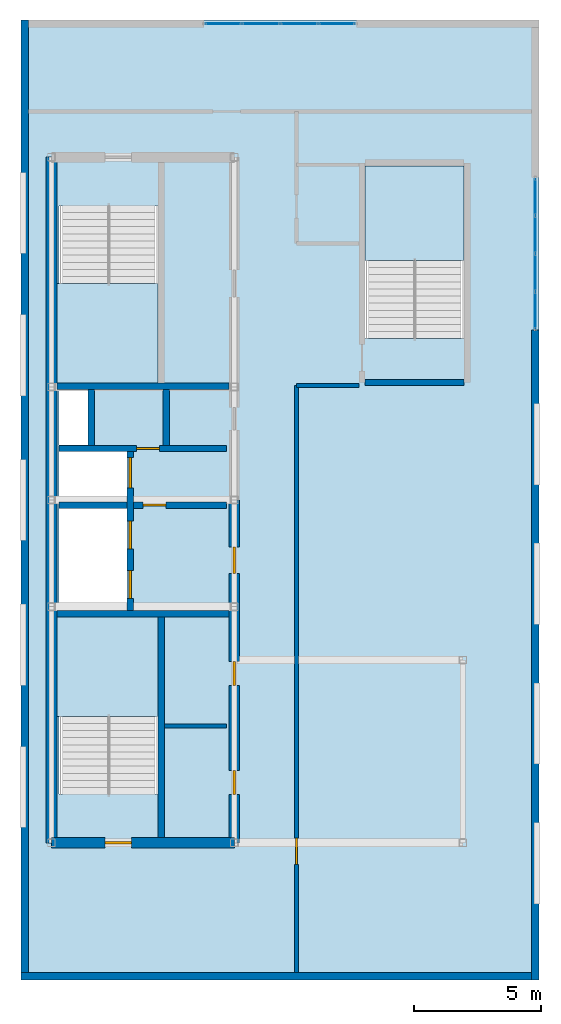
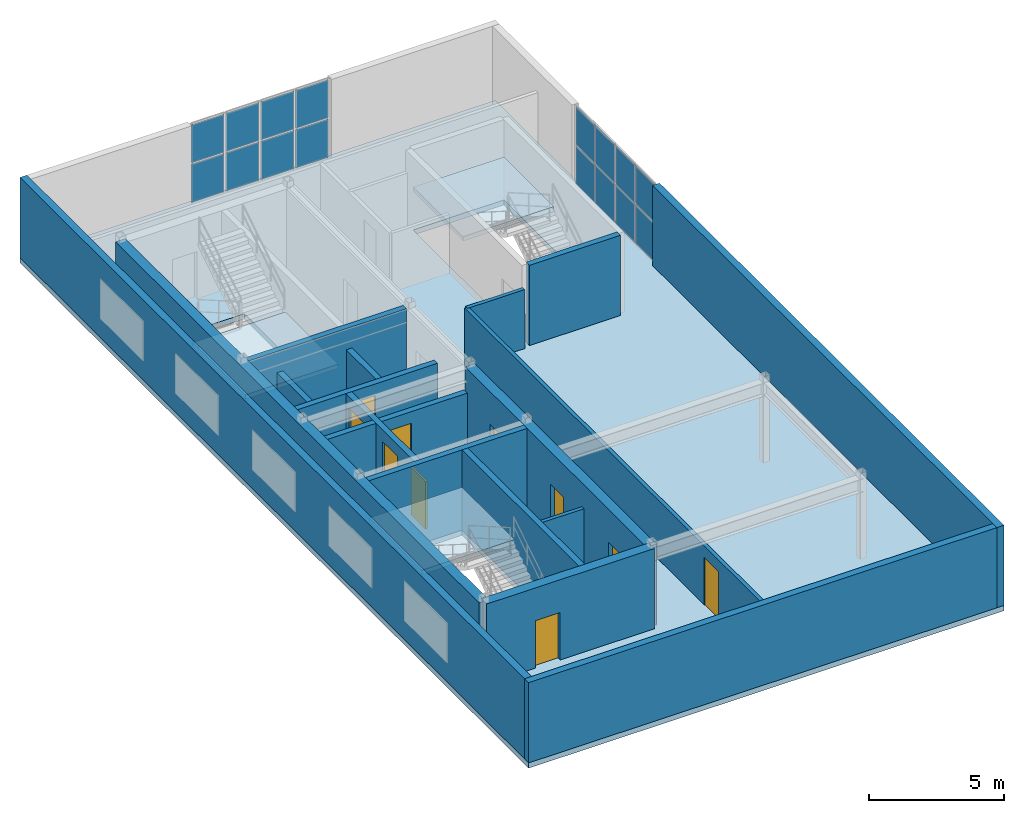
# One storey, part 4 of 6: 18 walls, 16 plates, 10 doors, 4 slabs, 10 openings, 5 elements without a shape of their own.
"""IFC4 building model written with IfcOpenShell, lengths in metres."""

from ifc_helpers import new_model, entity, si_unit, converted_unit, direction, frame, origin_with_axes, origin_2d_with_axis, place, context, subcontext, project, spatial, polyline, rectangle, outline, extrude, material, layer, layer_set, type_object, element, fill, aggregate, save


model = new_model("IFC4")

# Units and contexts
model_context = context("Model", 3, precision=1e-05, world=origin_with_axes(), true_north=direction((0.0, 1.0)))
body_context = subcontext(model_context, "Body", "Model", "MODEL_VIEW")
ifc_project = project(units=[si_unit("LENGTHUNIT", "METRE"), si_unit("AREAUNIT", "SQUARE_METRE"), si_unit("VOLUMEUNIT", "CUBIC_METRE"), converted_unit("PLANEANGLEUNIT", "DEGREE", entity("IfcPlaneAngleMeasure", 0.017453292519943295), si_unit("PLANEANGLEUNIT", "RADIAN"), dimensions=[0, 0, 0, 0, 0, 0, 0]), si_unit("MASSUNIT", "GRAM", prefix="KILO"), si_unit("THERMODYNAMICTEMPERATUREUNIT", "KELVIN")], contexts=[model_context])

# Site, building, storey
site_placement = place(None, origin_with_axes())
site = spatial("IfcSite", under=ifc_project, at=site_placement, CompositionType="ELEMENT")
building_placement = place(site_placement, origin_with_axes())
building = spatial("IfcBuilding", under=site, at=building_placement, Name="Varnlund Millrace Tower", CompositionType="ELEMENT")
storey_placement = place(building_placement, frame((0.0, 0.0, 320.4), z_axis=(0.0, 0.0, 1.0), x_axis=(1.0, 0.0, 0.0)))
storey = spatial("IfcBuildingStorey", under=building, at=storey_placement, Name="L79", CompositionType="ELEMENT", Elevation=320.4)

# Curtain wall, plates
ifc_material_1 = material(Name="Thermally broken architectural bronze curtain wall", Category="aluminium")
curtain_wall_type = type_object("IfcCurtainWallType", Name="Type-CW-Sys7-CrownLantern", PredefinedType="NOTDEFINED", material=ifc_material_1)
curtain_wall_1_placement = place(storey_placement, frame((30.45, 37.0, 0.0), z_axis=(0.0, 0.0, 1.0), x_axis=(1.0, 0.0, 0.0)))
curtain_wall_1 = element("IfcCurtainWall", 1, at=curtain_wall_1_placement, inside=storey, type_object=curtain_wall_type, Name="Type-CW-Sys7-CrownLantern", PredefinedType="NOTDEFINED")
ifc_material_2 = material(Name="Fritted low-e triple-glazed lantern curtain-wall unit", Category="glass")
ifc_layer_1 = layer(ifc_material_2, 0.032, Name="Fritted low-e triple-glazed lantern curtain-wall unit")
ifc_layer_set_1 = layer_set([ifc_layer_1], Name="Fritted low-e triple-glazed lantern curtain-wall unit")
plate_type = type_object("IfcPlateType", Name="Type-CW-Panel-Clerestory-32", PredefinedType="CURTAIN_PANEL", material=ifc_layer_set_1)
plate_1_placement = place(storey_placement, frame((30.45, 36.23375, 0.065), z_axis=(0.0, 0.0, 1.0), x_axis=(0.0, -1.0, 0.0)))
plate_1 = element("IfcPlate", 2, at=plate_1_placement, type_object=plate_type, Name="CW-07 panel 1.1", PredefinedType="CURTAIN_PANEL", context=body_context, shape_type="SweptSolid", body=[
    extrude(rectangle(XDim=1.4025, YDim=0.032, at=origin_2d_with_axis()), origin_with_axes(), (0.0, 0.0, 1.0), 1.7225),
])
plate_2_placement = place(storey_placement, frame((30.45, 36.23375, 1.8525), z_axis=(0.0, 0.0, 1.0), x_axis=(0.0, -1.0, 0.0)))
plate_2 = element("IfcPlate", 3, at=plate_2_placement, type_object=plate_type, Name="CW-07 panel 1.2", PredefinedType="CURTAIN_PANEL", context=body_context, shape_type="SweptSolid", body=[
    extrude(rectangle(XDim=1.4025, YDim=0.032, at=origin_2d_with_axis()), origin_with_axes(), (0.0, 0.0, 1.0), 1.7225),
])
plate_3_placement = place(storey_placement, frame((30.45, 34.75, 0.065), z_axis=(0.0, 0.0, 1.0), x_axis=(0.0, -1.0, 0.0)))
plate_3 = element("IfcPlate", 4, at=plate_3_placement, type_object=plate_type, Name="CW-07 panel 2.1", PredefinedType="CURTAIN_PANEL", context=body_context, shape_type="SweptSolid", body=[
    extrude(rectangle(XDim=1.435, YDim=0.032, at=origin_2d_with_axis()), origin_with_axes(), (0.0, 0.0, 1.0), 1.7225),
])
plate_4_placement = place(storey_placement, frame((30.45, 34.75, 1.8525), z_axis=(0.0, 0.0, 1.0), x_axis=(0.0, -1.0, 0.0)))
plate_4 = element("IfcPlate", 5, at=plate_4_placement, type_object=plate_type, Name="CW-07 panel 2.2", PredefinedType="CURTAIN_PANEL", context=body_context, shape_type="SweptSolid", body=[
    extrude(rectangle(XDim=1.435, YDim=0.032, at=origin_2d_with_axis()), origin_with_axes(), (0.0, 0.0, 1.0), 1.7225),
])
plate_5_placement = place(storey_placement, frame((30.45, 33.25, 0.065), z_axis=(0.0, 0.0, 1.0), x_axis=(0.0, -1.0, 0.0)))
plate_5 = element("IfcPlate", 6, at=plate_5_placement, type_object=plate_type, Name="CW-07 panel 3.1", PredefinedType="CURTAIN_PANEL", context=body_context, shape_type="SweptSolid", body=[
    extrude(rectangle(XDim=1.435, YDim=0.032, at=origin_2d_with_axis()), origin_with_axes(), (0.0, 0.0, 1.0), 1.7225),
])
plate_6_placement = place(storey_placement, frame((30.45, 33.25, 1.8525), z_axis=(0.0, 0.0, 1.0), x_axis=(0.0, -1.0, 0.0)))
plate_6 = element("IfcPlate", 7, at=plate_6_placement, type_object=plate_type, Name="CW-07 panel 3.2", PredefinedType="CURTAIN_PANEL", context=body_context, shape_type="SweptSolid", body=[
    extrude(rectangle(XDim=1.435, YDim=0.032, at=origin_2d_with_axis()), origin_with_axes(), (0.0, 0.0, 1.0), 1.7225),
])
plate_7_placement = place(storey_placement, frame((30.45, 31.76625, 0.065), z_axis=(0.0, 0.0, 1.0), x_axis=(0.0, -1.0, 0.0)))
plate_7 = element("IfcPlate", 8, at=plate_7_placement, type_object=plate_type, Name="CW-07 panel 4.1", PredefinedType="CURTAIN_PANEL", context=body_context, shape_type="SweptSolid", body=[
    extrude(rectangle(XDim=1.4025, YDim=0.032, at=origin_2d_with_axis()), origin_with_axes(), (0.0, 0.0, 1.0), 1.7225),
])
plate_8_placement = place(storey_placement, frame((30.45, 31.76625, 1.8525), z_axis=(0.0, 0.0, 1.0), x_axis=(0.0, -1.0, 0.0)))
plate_8 = element("IfcPlate", 9, at=plate_8_placement, type_object=plate_type, Name="CW-07 panel 4.2", PredefinedType="CURTAIN_PANEL", context=body_context, shape_type="SweptSolid", body=[
    extrude(rectangle(XDim=1.4025, YDim=0.032, at=origin_2d_with_axis()), origin_with_axes(), (0.0, 0.0, 1.0), 1.7225),
])
aggregate(curtain_wall_1, [plate_1, plate_2, plate_3, plate_4, plate_5, plate_6, plate_7, plate_8])

curtain_wall_2_placement = place(storey_placement, frame((17.4, 43.05, 0.0), z_axis=(0.0, 0.0, 1.0), x_axis=(1.0, 0.0, 0.0)))
curtain_wall_2 = element("IfcCurtainWall", 10, at=curtain_wall_2_placement, inside=storey, type_object=curtain_wall_type, Name="Type-CW-Sys7-CrownLantern", PredefinedType="NOTDEFINED")
plate_9_placement = place(storey_placement, frame((18.16625, 43.05, 0.065), z_axis=(0.0, 0.0, 1.0), x_axis=(1.0, 0.0, 0.0)))
plate_9 = element("IfcPlate", 11, at=plate_9_placement, type_object=plate_type, Name="CW-07 panel 1.1", PredefinedType="CURTAIN_PANEL", context=body_context, shape_type="SweptSolid", body=[
    extrude(rectangle(XDim=1.4025, YDim=0.032, at=origin_2d_with_axis()), origin_with_axes(), (0.0, 0.0, 1.0), 1.7225),
])
plate_10_placement = place(storey_placement, frame((18.16625, 43.05, 1.8525), z_axis=(0.0, 0.0, 1.0), x_axis=(1.0, 0.0, 0.0)))
plate_10 = element("IfcPlate", 12, at=plate_10_placement, type_object=plate_type, Name="CW-07 panel 1.2", PredefinedType="CURTAIN_PANEL", context=body_context, shape_type="SweptSolid", body=[
    extrude(rectangle(XDim=1.4025, YDim=0.032, at=origin_2d_with_axis()), origin_with_axes(), (0.0, 0.0, 1.0), 1.7225),
])
plate_11_placement = place(storey_placement, frame((19.65, 43.05, 0.065), z_axis=(0.0, 0.0, 1.0), x_axis=(1.0, 0.0, 0.0)))
plate_11 = element("IfcPlate", 13, at=plate_11_placement, type_object=plate_type, Name="CW-07 panel 2.1", PredefinedType="CURTAIN_PANEL", context=body_context, shape_type="SweptSolid", body=[
    extrude(rectangle(XDim=1.435, YDim=0.032, at=origin_2d_with_axis()), origin_with_axes(), (0.0, 0.0, 1.0), 1.7225),
])
plate_12_placement = place(storey_placement, frame((19.65, 43.05, 1.8525), z_axis=(0.0, 0.0, 1.0), x_axis=(1.0, 0.0, 0.0)))
plate_12 = element("IfcPlate", 14, at=plate_12_placement, type_object=plate_type, Name="CW-07 panel 2.2", PredefinedType="CURTAIN_PANEL", context=body_context, shape_type="SweptSolid", body=[
    extrude(rectangle(XDim=1.435, YDim=0.032, at=origin_2d_with_axis()), origin_with_axes(), (0.0, 0.0, 1.0), 1.7225),
])
plate_13_placement = place(storey_placement, frame((21.15, 43.05, 0.065), z_axis=(0.0, 0.0, 1.0), x_axis=(1.0, 0.0, 0.0)))
plate_13 = element("IfcPlate", 15, at=plate_13_placement, type_object=plate_type, Name="CW-07 panel 3.1", PredefinedType="CURTAIN_PANEL", context=body_context, shape_type="SweptSolid", body=[
    extrude(rectangle(XDim=1.435, YDim=0.032, at=origin_2d_with_axis()), origin_with_axes(), (0.0, 0.0, 1.0), 1.7225),
])
plate_14_placement = place(storey_placement, frame((21.15, 43.05, 1.8525), z_axis=(0.0, 0.0, 1.0), x_axis=(1.0, 0.0, 0.0)))
plate_14 = element("IfcPlate", 16, at=plate_14_placement, type_object=plate_type, Name="CW-07 panel 3.2", PredefinedType="CURTAIN_PANEL", context=body_context, shape_type="SweptSolid", body=[
    extrude(rectangle(XDim=1.435, YDim=0.032, at=origin_2d_with_axis()), origin_with_axes(), (0.0, 0.0, 1.0), 1.7225),
])
plate_15_placement = place(storey_placement, frame((22.63375, 43.05, 0.065), z_axis=(0.0, 0.0, 1.0), x_axis=(1.0, 0.0, 0.0)))
plate_15 = element("IfcPlate", 17, at=plate_15_placement, type_object=plate_type, Name="CW-07 panel 4.1", PredefinedType="CURTAIN_PANEL", context=body_context, shape_type="SweptSolid", body=[
    extrude(rectangle(XDim=1.4025, YDim=0.032, at=origin_2d_with_axis()), origin_with_axes(), (0.0, 0.0, 1.0), 1.7225),
])
plate_16_placement = place(storey_placement, frame((22.63375, 43.05, 1.8525), z_axis=(0.0, 0.0, 1.0), x_axis=(1.0, 0.0, 0.0)))
plate_16 = element("IfcPlate", 18, at=plate_16_placement, type_object=plate_type, Name="CW-07 panel 4.2", PredefinedType="CURTAIN_PANEL", context=body_context, shape_type="SweptSolid", body=[
    extrude(rectangle(XDim=1.4025, YDim=0.032, at=origin_2d_with_axis()), origin_with_axes(), (0.0, 0.0, 1.0), 1.7225),
])
aggregate(curtain_wall_2, [plate_9, plate_10, plate_11, plate_12, plate_13, plate_14, plate_15, plate_16])

# Slab
ifc_material_3 = material(Name="Concrete C60/75", Category="concrete")
ifc_layer_2 = layer(ifc_material_3, 0.24, Name="Concrete C60/75")
ifc_layer_set_2 = layer_set([ifc_layer_2], Name="Concrete C60/75")
slab_type_1 = type_object("IfcSlabType", Name="Type-Deck-Plate-Typical-240", PredefinedType="FLOOR", material=ifc_layer_set_2)
slab_1_placement = place(storey_placement, frame((0.0, 0.0, -0.24), z_axis=(0.0, 0.0, 1.0), x_axis=(1.0, 0.0, 0.0)))
element("IfcSlab", 19, at=slab_1_placement, inside=storey, type_object=slab_type_1, Name="Type-Deck-Plate-Typical-240", PredefinedType="FLOOR", context=body_context, shape_type="SweptSolid", body=[
    extrude(outline(polyline([(30.6, 5.4), (30.6, 43.2), (10.2, 43.2), (10.2, 5.4), (30.6, 5.4)]), holes=[polyline([(11.7, 19.7), (15.6, 19.7), (15.6, 12.715), (11.7, 12.715), (11.7, 19.7)]), polyline([(11.7, 19.94), (11.7, 23.98), (14.38, 23.98), (14.38, 19.94), (11.7, 19.94)]), polyline([(14.38, 26.2), (14.38, 24.24), (11.7, 24.24), (11.7, 26.2), (14.38, 26.2)]), polyline([(12.84, 28.65), (12.84, 26.46), (11.7, 26.46), (11.7, 28.65), (12.84, 28.65)]), polyline([(15.6, 35.885), (15.6, 28.9), (11.7, 28.9), (11.7, 35.885), (15.6, 35.885)]), polyline([(27.65, 37.45), (27.65, 30.665), (23.75, 30.665), (23.75, 37.45), (27.65, 37.45)])]), origin_with_axes(), (0.0, 0.0, 1.0), 0.24),
])

# Stair, slab
ifc_material_4 = material(Name="Concrete C50/60", Category="concrete")
stair_type = type_object("IfcStairType", Name="Type-Stair-Dogleg-185-390", PredefinedType="HALF_TURN_STAIR", material=ifc_material_4)
stair_1_placement = place(storey_placement, origin_with_axes())
stair_1 = element("IfcStair", 20, at=stair_1_placement, inside=storey, type_object=stair_type, Name="Type-Stair-Dogleg-185-390", PredefinedType="HALF_TURN_STAIR")
ifc_layer_3 = layer(ifc_material_4, 0.2, Name="Concrete C50/60")
ifc_layer_set_3 = layer_set([ifc_layer_3], Name="Concrete C50/60")
slab_type_2 = type_object("IfcSlabType", Name="Type-StairLanding-200", PredefinedType="LANDING", material=ifc_layer_set_3)
slab_2_placement = place(storey_placement, frame((0.0, 0.0, 1.75), z_axis=(0.0, 0.0, 1.0), x_axis=(1.0, 0.0, 0.0)))
slab_2 = element("IfcSlab", 21, at=slab_2_placement, type_object=slab_type_2, Name="ST-A1 landing 1", PredefinedType="LANDING", context=body_context, shape_type="SweptSolid", body=[
    extrude(outline(polyline([(15.6, 15.78), (15.6, 19.7), (11.61, 19.7), (11.61, 15.78), (15.6, 15.78)])), origin_with_axes(), (0.0, 0.0, 1.0), 0.2),
])
aggregate(stair_1, [slab_2])

stair_2_placement = place(storey_placement, origin_with_axes())
stair_2 = element("IfcStair", 22, at=stair_2_placement, inside=storey, type_object=stair_type, Name="Type-Stair-Dogleg-185-390", PredefinedType="HALF_TURN_STAIR")
slab_3_placement = place(storey_placement, frame((0.0, 0.0, 1.75), z_axis=(0.0, 0.0, 1.0), x_axis=(1.0, 0.0, 0.0)))
slab_3 = element("IfcSlab", 23, at=slab_3_placement, type_object=slab_type_2, Name="ST-A2 landing 1", PredefinedType="LANDING", context=body_context, shape_type="SweptSolid", body=[
    extrude(outline(polyline([(11.61, 32.82), (11.61, 28.9), (15.6, 28.9), (15.6, 32.82), (11.61, 32.82)])), origin_with_axes(), (0.0, 0.0, 1.0), 0.2),
])
aggregate(stair_2, [slab_3])

stair_3_placement = place(storey_placement, origin_with_axes())
stair_3 = element("IfcStair", 24, at=stair_3_placement, inside=storey, type_object=stair_type, Name="Type-Stair-Dogleg-185-390", PredefinedType="HALF_TURN_STAIR")
slab_4_placement = place(storey_placement, frame((0.0, 0.0, 1.75), z_axis=(0.0, 0.0, 1.0), x_axis=(1.0, 0.0, 0.0)))
slab_4 = element("IfcSlab", 25, at=slab_4_placement, type_object=slab_type_2, Name="ST-A3 landing 1", PredefinedType="LANDING", context=body_context, shape_type="SweptSolid", body=[
    extrude(outline(polyline([(27.65, 33.73), (27.65, 37.45), (23.75, 37.45), (23.75, 33.73), (27.65, 33.73)])), origin_with_axes(), (0.0, 0.0, 1.0), 0.2),
])
aggregate(stair_3, [slab_4])

# Wall
ifc_layer_4 = layer(ifc_material_3, 0.42, Name="Concrete C60/75")
ifc_layer_set_4 = layer_set([ifc_layer_4], Name="Concrete C60/75")
wall_type_1 = type_object("IfcWallType", Name="Type-CoreWall-Shear-420-C60", PredefinedType="SHEAR", material=ifc_layer_set_4)
wall_1_placement = place(storey_placement, frame((11.4, 10.8, 0.0), z_axis=(0.0, 0.0, 1.0), x_axis=(0.0, 1.0, 0.0)))
element("IfcWall", 26, at=wall_1_placement, inside=storey, type_object=wall_type_1, Name="Type-CoreWall-Shear-420-C60", PredefinedType="SHEAR", context=body_context, shape_type="SweptSolid", body=[
    extrude(outline(polyline([(0.0, -0.21), (27.0, -0.21), (27.0, 0.21), (0.0, 0.21), (0.0, -0.21)])), origin_with_axes(), (0.0, 0.0, 1.0), 3.64),
])

# Wall, opening, door
wall_2_placement = place(storey_placement, frame((11.4, 10.8, 0.0), z_axis=(0.0, 0.0, 1.0), x_axis=(1.0, 0.0, 0.0)))
wall_2 = element("IfcWall", 27, at=wall_2_placement, inside=storey, type_object=wall_type_1, Name="Type-CoreWall-Shear-420-C60", PredefinedType="SHEAR", context=body_context, shape_type="SweptSolid", body=[
    extrude(outline(polyline([(0.0, -0.21), (7.2, -0.21), (7.2, 0.21), (0.0, 0.21), (0.0, -0.21)])), origin_with_axes(), (0.0, 0.0, 1.0), 3.64),
])
opening_1_placement = place(wall_2_placement, frame((2.625, 0.0, 0.0), z_axis=(0.0, 0.0, 1.0), x_axis=(1.0, 0.0, 0.0)))
opening_1 = element("IfcOpeningElement", 28, at=opening_1_placement, cuts=wall_2, Name="Opening L79:DR-STA1", PredefinedType="OPENING", context=body_context, shape_type="SweptSolid", body=[
    extrude(rectangle(XDim=1.05, YDim=0.44, at=origin_2d_with_axis()), origin_with_axes(), (0.0, 0.0, 1.0), 2.15),
])
ifc_material_5 = material(Name="Fire-rated hollow steel door", Category="steel")
door_type_1 = type_object("IfcDoorType", Name="Type-FireDoor-Stair-1050X2150", OperationType="NOTDEFINED", PredefinedType="DOOR", material=ifc_material_5)
door_1_placement = place(wall_2_placement, frame((2.625, 0.0, 0.0), z_axis=(0.0, 0.0, 1.0), x_axis=(1.0, 0.0, 0.0)))
door_1 = element("IfcDoor", 29, at=door_1_placement, inside=storey, type_object=door_type_1, Name="Type-FireDoor-Stair-1050X2150", OperationType="SINGLE_SWING_LEFT", OverallHeight=2.15, OverallWidth=1.05, PredefinedType="DOOR", context=body_context, shape_type="SweptSolid", body=[
    extrude(rectangle(XDim=1.05, YDim=0.09, at=origin_2d_with_axis()), origin_with_axes(), (0.0, 0.0, 1.0), 2.15),
])
fill(opening_1, door_1)

# Wall, openings, doors
wall_3_placement = place(storey_placement, frame((18.6, 10.8, 0.0), z_axis=(0.0, 0.0, 1.0), x_axis=(0.0, 1.0, 0.0)))
wall_3 = element("IfcWall", 30, at=wall_3_placement, inside=storey, type_object=wall_type_1, Name="Type-CoreWall-Shear-420-C60", PredefinedType="SHEAR", context=body_context, shape_type="SweptSolid", body=[
    extrude(outline(polyline([(0.0, -0.21), (13.5, -0.21), (13.5, 0.21), (0.0, 0.21), (0.0, -0.21)])), origin_with_axes(), (0.0, 0.0, 1.0), 3.64),
])
opening_2_placement = place(wall_3_placement, frame((11.125, 0.0, 0.0), z_axis=(0.0, 0.0, 1.0), x_axis=(1.0, 0.0, 0.0)))
opening_2 = element("IfcOpeningElement", 31, at=opening_2_placement, cuts=wall_3, Name="Opening L79:DR-FFLOB-A", PredefinedType="OPENING", context=body_context, shape_type="SweptSolid", body=[
    extrude(rectangle(XDim=1.05, YDim=0.44, at=origin_2d_with_axis()), origin_with_axes(), (0.0, 0.0, 1.0), 2.15),
])
opening_3_placement = place(wall_3_placement, frame((2.375, 0.0, 0.0), z_axis=(0.0, 0.0, 1.0), x_axis=(1.0, 0.0, 0.0)))
opening_3 = element("IfcOpeningElement", 32, at=opening_3_placement, cuts=wall_3, Name="Opening L79:DR-CRN-C1", PredefinedType="OPENING", context=body_context, shape_type="SweptSolid", body=[
    extrude(rectangle(XDim=0.95, YDim=0.44, at=origin_2d_with_axis()), origin_with_axes(), (0.0, 0.0, 1.0), 2.15),
])
opening_4_placement = place(wall_3_placement, frame((6.675, 0.0, 0.0), z_axis=(0.0, 0.0, 1.0), x_axis=(1.0, 0.0, 0.0)))
opening_4 = element("IfcOpeningElement", 33, at=opening_4_placement, cuts=wall_3, Name="Opening L79:DR-CRN-C2", PredefinedType="OPENING", context=body_context, shape_type="SweptSolid", body=[
    extrude(rectangle(XDim=0.95, YDim=0.44, at=origin_2d_with_axis()), origin_with_axes(), (0.0, 0.0, 1.0), 2.15),
])
ifc_material_6 = material(Name="Smoke-barrier hollow steel fire door", Category="steel")
door_type_2 = type_object("IfcDoorType", Name="Type-FireDoor-Lobby-1050X2150", OperationType="NOTDEFINED", PredefinedType="DOOR", material=ifc_material_6)
door_2_placement = place(wall_3_placement, frame((11.125, 0.0, 0.0), z_axis=(0.0, 0.0, 1.0), x_axis=(1.0, 0.0, 0.0)))
door_2 = element("IfcDoor", 34, at=door_2_placement, inside=storey, type_object=door_type_2, Name="Type-FireDoor-Lobby-1050X2150", OperationType="SINGLE_SWING_LEFT", OverallHeight=2.15, OverallWidth=1.05, PredefinedType="DOOR", context=body_context, shape_type="SweptSolid", body=[
    extrude(rectangle(XDim=1.05, YDim=0.09, at=origin_2d_with_axis()), origin_with_axes(), (0.0, 0.0, 1.0), 2.15),
])
fill(opening_2, door_2)
ifc_material_7 = material(Name="Fire-rated hollow steel core service door", Category="steel")
door_type_3 = type_object("IfcDoorType", Name="Type-FireDoor-Service-950X2150", OperationType="NOTDEFINED", PredefinedType="DOOR", material=ifc_material_7)
door_3_placement = place(wall_3_placement, frame((2.375, 0.0, 0.0), z_axis=(0.0, 0.0, 1.0), x_axis=(1.0, 0.0, 0.0)))
door_3 = element("IfcDoor", 35, at=door_3_placement, inside=storey, type_object=door_type_3, Name="Type-FireDoor-Service-950X2150", OperationType="SINGLE_SWING_LEFT", OverallHeight=2.15, OverallWidth=0.95, PredefinedType="DOOR", context=body_context, shape_type="SweptSolid", body=[
    extrude(rectangle(XDim=0.95, YDim=0.09, at=origin_2d_with_axis()), origin_with_axes(), (0.0, 0.0, 1.0), 2.15),
])
fill(opening_3, door_3)
door_4_placement = place(wall_3_placement, frame((6.675, 0.0, 0.0), z_axis=(0.0, 0.0, 1.0), x_axis=(1.0, 0.0, 0.0)))
door_4 = element("IfcDoor", 36, at=door_4_placement, inside=storey, type_object=door_type_3, Name="Type-FireDoor-Service-950X2150", OperationType="SINGLE_SWING_RIGHT", OverallHeight=2.15, OverallWidth=0.95, PredefinedType="DOOR", context=body_context, shape_type="SweptSolid", body=[
    extrude(rectangle(XDim=0.95, YDim=0.09, at=origin_2d_with_axis()), origin_with_axes(), (0.0, 0.0, 1.0), 2.15),
])
fill(opening_4, door_4)

# Walls
ifc_material_8 = material(Name="Precast concrete C50/60", Category="concrete")
ifc_layer_5 = layer(ifc_material_8, 0.3, Name="Precast concrete C50/60")
ifc_layer_set_5 = layer_set([ifc_layer_5], Name="Precast concrete C50/60")
wall_type_2 = type_object("IfcWallType", Name="Type-ExtWall-Precast-Crown-300", PredefinedType="SOLIDWALL", material=ifc_layer_set_5)
wall_4_placement = place(storey_placement, frame((10.35, 5.7, 0.0), z_axis=(0.0, 0.0, 1.0), x_axis=(0.0, 1.0, 0.0)))
element("IfcWall", 37, at=wall_4_placement, inside=storey, type_object=wall_type_2, Name="Type-ExtWall-Precast-Crown-300", PredefinedType="SOLIDWALL", context=body_context, shape_type="SweptSolid", body=[
    extrude(outline(polyline([(0.0, -0.15), (37.5, -0.15), (37.5, 0.15), (0.0, 0.15), (0.0, -0.15)])), origin_with_axes(), (0.0, 0.0, 1.0), 3.64),
])
wall_5_placement = place(storey_placement, frame((30.45, 31.0, 0.0), z_axis=(0.0, 0.0, 1.0), x_axis=(0.0, -1.0, 0.0)))
element("IfcWall", 38, at=wall_5_placement, inside=storey, type_object=wall_type_2, Name="Type-ExtWall-Precast-Crown-300", PredefinedType="SOLIDWALL", context=body_context, shape_type="SweptSolid", body=[
    extrude(outline(polyline([(0.0, -0.15), (25.6, -0.15), (25.6, 0.15), (0.0, 0.15), (0.0, -0.15)])), origin_with_axes(), (0.0, 0.0, 1.0), 3.64),
])
wall_6_placement = place(storey_placement, frame((30.3, 5.55, 0.0), z_axis=(0.0, 0.0, 1.0), x_axis=(-1.0, 0.0, 0.0)))
element("IfcWall", 39, at=wall_6_placement, inside=storey, type_object=wall_type_2, Name="Type-ExtWall-Precast-Crown-300", PredefinedType="SOLIDWALL", context=body_context, shape_type="SweptSolid", body=[
    extrude(outline(polyline([(0.0, -0.15), (20.1, -0.15), (20.1, 0.15), (0.0, 0.15), (0.0, -0.15)])), origin_with_axes(), (0.0, 0.0, 1.0), 3.64),
])
ifc_material_9 = material(Name="Fire-rated gypsum board on cold-formed steel framing", Category="steel")
ifc_layer_6 = layer(ifc_material_9, 0.16, Name="Fire-rated gypsum board on cold-formed steel framing")
ifc_layer_set_6 = layer_set([ifc_layer_6], Name="Fire-rated gypsum board on cold-formed steel framing")
wall_type_3 = type_object("IfcWallType", Name="Type-Partition-Corridor-160", PredefinedType="PARTITIONING", material=ifc_layer_set_6)
wall_7_placement = place(storey_placement, frame((15.84, 15.4, 0.0), z_axis=(0.0, 0.0, 1.0), x_axis=(1.0, 0.0, 0.0)))
element("IfcWall", 40, at=wall_7_placement, inside=storey, type_object=wall_type_3, Name="Type-Partition-Corridor-160", PredefinedType="PARTITIONING", context=body_context, shape_type="SweptSolid", body=[
    extrude(outline(polyline([(0.0, -0.08), (2.46, -0.08), (2.46, 0.08), (0.0, 0.08), (0.0, -0.08)])), origin_with_axes(), (0.0, 0.0, 1.0), 2.68),
])

# Wall, opening, door
wall_8_placement = place(storey_placement, frame((21.05, 5.695, 0.0), z_axis=(0.0, 0.0, 1.0), x_axis=(0.0, 1.0, 0.0)))
wall_8 = element("IfcWall", 41, at=wall_8_placement, inside=storey, type_object=wall_type_3, Name="Type-Partition-Corridor-160", PredefinedType="PARTITIONING", context=body_context, shape_type="SweptSolid", body=[
    extrude(outline(polyline([(0.0, -0.08), (23.105, -0.08), (23.105, 0.08), (0.0, 0.08), (0.0, -0.08)])), origin_with_axes(), (0.0, 0.0, 1.0), 2.68),
])
opening_5_placement = place(wall_8_placement, frame((4.78, 0.0, 0.0), z_axis=(0.0, 0.0, 1.0), x_axis=(1.0, 0.0, 0.0)))
opening_5 = element("IfcOpeningElement", 42, at=opening_5_placement, cuts=wall_8, Name="Opening L79:DR-CRN-PLT", PredefinedType="OPENING", context=body_context, shape_type="SweptSolid", body=[
    extrude(rectangle(XDim=1.05, YDim=0.18, at=origin_2d_with_axis()), origin_with_axes(), (0.0, 0.0, 1.0), 2.15),
])
door_5_placement = place(wall_8_placement, frame((4.78, 0.0, 0.0), z_axis=(0.0, 0.0, 1.0), x_axis=(1.0, 0.0, 0.0)))
door_5 = element("IfcDoor", 43, at=door_5_placement, inside=storey, type_object=door_type_2, Name="Type-FireDoor-Lobby-1050X2150", OperationType="SINGLE_SWING_LEFT", OverallHeight=2.15, OverallWidth=1.05, PredefinedType="DOOR", context=body_context, shape_type="SweptSolid", body=[
    extrude(rectangle(XDim=1.05, YDim=0.09, at=origin_2d_with_axis()), origin_with_axes(), (0.0, 0.0, 1.0), 2.15),
])
fill(opening_5, door_5)

# Wall
wall_9_placement = place(storey_placement, frame((21.05, 28.8, 0.0), z_axis=(0.0, 0.0, 1.0), x_axis=(1.0, 0.0, 0.0)))
element("IfcWall", 44, at=wall_9_placement, inside=storey, type_object=wall_type_3, Name="Type-Partition-Corridor-160", PredefinedType="PARTITIONING", context=body_context, shape_type="SweptSolid", body=[
    extrude(outline(polyline([(0.0, -0.08), (2.45, -0.08), (2.45, 0.08), (0.0, 0.08), (0.0, -0.08)])), origin_with_axes(), (0.0, 0.0, 1.0), 2.68),
])

# Wall, openings, doors
ifc_layer_7 = layer(ifc_material_3, 0.25, Name="Concrete C60/75")
ifc_layer_set_7 = layer_set([ifc_layer_7], Name="Concrete C60/75")
wall_type_4 = type_object("IfcWallType", Name="Type-ShaftWall-Fire-250", PredefinedType="SOLIDWALL", material=ifc_layer_set_7)
wall_10_placement = place(storey_placement, frame((14.5, 19.95, 0.0), z_axis=(0.0, 0.0, 1.0), x_axis=(0.0, 1.0, 0.0)))
wall_10 = element("IfcWall", 45, at=wall_10_placement, inside=storey, type_object=wall_type_4, Name="Type-ShaftWall-Fire-250", PredefinedType="SOLIDWALL", context=body_context, shape_type="SweptSolid", body=[
    extrude(outline(polyline([(0.0, -0.125), (6.25, -0.125), (6.25, 0.125), (0.0, 0.125), (0.0, -0.125)])), origin_with_axes(), (0.0, 0.0, 1.0), 2.68),
])
opening_6_placement = place(wall_10_placement, frame((1.025, 0.0, 0.0), z_axis=(0.0, 0.0, 1.0), x_axis=(1.0, 0.0, 0.0)))
opening_6 = element("IfcOpeningElement", 46, at=opening_6_placement, cuts=wall_10, Name="Opening L79:LD-FSAE1", PredefinedType="OPENING", context=body_context, shape_type="SweptSolid", body=[
    extrude(rectangle(XDim=1.1, YDim=0.27, at=origin_2d_with_axis()), origin_with_axes(), (0.0, 0.0, 1.0), 2.15),
])
opening_7_placement = place(wall_10_placement, frame((2.975, 0.0, 0.0), z_axis=(0.0, 0.0, 1.0), x_axis=(1.0, 0.0, 0.0)))
opening_7 = element("IfcOpeningElement", 47, at=opening_7_placement, cuts=wall_10, Name="Opening L79:LD-FSAE2", PredefinedType="OPENING", context=body_context, shape_type="SweptSolid", body=[
    extrude(rectangle(XDim=1.1, YDim=0.27, at=origin_2d_with_axis()), origin_with_axes(), (0.0, 0.0, 1.0), 2.15),
])
opening_8_placement = place(wall_10_placement, frame((5.425, 0.0, 0.0), z_axis=(0.0, 0.0, 1.0), x_axis=(1.0, 0.0, 0.0)))
opening_8 = element("IfcOpeningElement", 48, at=opening_8_placement, cuts=wall_10, Name="Opening L79:LD-SRV1", PredefinedType="OPENING", context=body_context, shape_type="SweptSolid", body=[
    extrude(rectangle(XDim=1.2, YDim=0.27, at=origin_2d_with_axis()), origin_with_axes(), (0.0, 0.0, 1.0), 2.15),
])
ifc_material_10 = material(Name="Stainless and architectural bronze sliding landing door")
door_type_4 = type_object("IfcDoorType", Name="Type-LiftLandingDoor-1100X2150", OperationType="NOTDEFINED", PredefinedType="DOOR", material=ifc_material_10)
door_6_placement = place(wall_10_placement, frame((1.025, 0.0, 0.0), z_axis=(0.0, 0.0, 1.0), x_axis=(1.0, 0.0, 0.0)))
door_6 = element("IfcDoor", 49, at=door_6_placement, inside=storey, type_object=door_type_4, Name="Type-LiftLandingDoor-1100X2150", OperationType="SLIDING_TO_LEFT", OverallHeight=2.15, OverallWidth=1.1, PredefinedType="DOOR", context=body_context, shape_type="SweptSolid", body=[
    extrude(rectangle(XDim=1.1, YDim=0.09, at=origin_2d_with_axis()), origin_with_axes(), (0.0, 0.0, 1.0), 2.15),
])
fill(opening_6, door_6)
door_7_placement = place(wall_10_placement, frame((2.975, 0.0, 0.0), z_axis=(0.0, 0.0, 1.0), x_axis=(1.0, 0.0, 0.0)))
door_7 = element("IfcDoor", 50, at=door_7_placement, inside=storey, type_object=door_type_4, Name="Type-LiftLandingDoor-1100X2150", OperationType="SLIDING_TO_RIGHT", OverallHeight=2.15, OverallWidth=1.1, PredefinedType="DOOR", context=body_context, shape_type="SweptSolid", body=[
    extrude(rectangle(XDim=1.1, YDim=0.09, at=origin_2d_with_axis()), origin_with_axes(), (0.0, 0.0, 1.0), 2.15),
])
fill(opening_7, door_7)
ifc_material_11 = material(Name="Heavy-duty freight sliding landing door")
door_type_5 = type_object("IfcDoorType", Name="Type-LiftLandingDoor-Service-1200X2150", OperationType="NOTDEFINED", PredefinedType="DOOR", material=ifc_material_11)
door_8_placement = place(wall_10_placement, frame((5.425, 0.0, 0.0), z_axis=(0.0, 0.0, 1.0), x_axis=(1.0, 0.0, 0.0)))
door_8 = element("IfcDoor", 51, at=door_8_placement, inside=storey, type_object=door_type_5, Name="Type-LiftLandingDoor-Service-1200X2150", OperationType="DOUBLE_DOOR_SLIDING", OverallHeight=2.15, OverallWidth=1.2, PredefinedType="DOOR", context=body_context, shape_type="SweptSolid", body=[
    extrude(rectangle(XDim=1.2, YDim=0.09, at=origin_2d_with_axis()), origin_with_axes(), (0.0, 0.0, 1.0), 2.15),
])
fill(opening_8, door_8)

# Wall, opening, door
wall_11_placement = place(storey_placement, frame((11.7, 24.1, 0.0), z_axis=(0.0, 0.0, 1.0), x_axis=(1.0, 0.0, 0.0)))
wall_11 = element("IfcWall", 52, at=wall_11_placement, inside=storey, type_object=wall_type_4, Name="Type-ShaftWall-Fire-250", PredefinedType="SOLIDWALL", context=body_context, shape_type="SweptSolid", body=[
    extrude(outline(polyline([(0.0, -0.125), (6.6, -0.125), (6.6, 0.125), (0.0, 0.125), (0.0, -0.125)])), origin_with_axes(), (0.0, 0.0, 1.0), 2.68),
])
opening_9_placement = place(wall_11_placement, frame((3.75, 0.0, 0.0), z_axis=(0.0, 0.0, 1.0), x_axis=(1.0, 0.0, 0.0)))
opening_9 = element("IfcOpeningElement", 53, at=opening_9_placement, cuts=wall_11, Name="Opening L79:DR-CA-SRV1", PredefinedType="OPENING", context=body_context, shape_type="SweptSolid", body=[
    extrude(rectangle(XDim=0.9, YDim=0.27, at=origin_2d_with_axis()), origin_with_axes(), (0.0, 0.0, 1.0), 2.15),
])
ifc_material_12 = material(Name="Fire-rated hollow steel service closet door", Category="steel")
door_type_6 = type_object("IfcDoorType", Name="Type-FireDoor-Closet-900X2150", OperationType="NOTDEFINED", PredefinedType="DOOR", material=ifc_material_12)
door_9_placement = place(wall_11_placement, frame((3.75, 0.0, 0.0), z_axis=(0.0, 0.0, 1.0), x_axis=(1.0, 0.0, 0.0)))
door_9 = element("IfcDoor", 54, at=door_9_placement, inside=storey, type_object=door_type_6, Name="Type-FireDoor-Closet-900X2150", OperationType="SINGLE_SWING_LEFT", OverallHeight=2.15, OverallWidth=0.9, PredefinedType="DOOR", context=body_context, shape_type="SweptSolid", body=[
    extrude(rectangle(XDim=0.9, YDim=0.09, at=origin_2d_with_axis()), origin_with_axes(), (0.0, 0.0, 1.0), 2.15),
])
fill(opening_9, door_9)

wall_12_placement = place(storey_placement, frame((11.7, 26.325, 0.0), z_axis=(0.0, 0.0, 1.0), x_axis=(1.0, 0.0, 0.0)))
wall_12 = element("IfcWall", 55, at=wall_12_placement, inside=storey, type_object=wall_type_4, Name="Type-ShaftWall-Fire-250", PredefinedType="SOLIDWALL", context=body_context, shape_type="SweptSolid", body=[
    extrude(outline(polyline([(0.0, -0.125), (6.6, -0.125), (6.6, 0.125), (0.0, 0.125), (0.0, -0.125)])), origin_with_axes(), (0.0, 0.0, 1.0), 2.68),
])
opening_10_placement = place(wall_12_placement, frame((3.5, 0.0, 0.0), z_axis=(0.0, 0.0, 1.0), x_axis=(1.0, 0.0, 0.0)))
opening_10 = element("IfcOpeningElement", 56, at=opening_10_placement, cuts=wall_12, Name="Opening L79:DR-CA-ELC", PredefinedType="OPENING", context=body_context, shape_type="SweptSolid", body=[
    extrude(rectangle(XDim=0.9, YDim=0.27, at=origin_2d_with_axis()), origin_with_axes(), (0.0, 0.0, 1.0), 2.15),
])
door_10_placement = place(wall_12_placement, frame((3.5, 0.0, 0.0), z_axis=(0.0, 0.0, 1.0), x_axis=(1.0, 0.0, 0.0)))
door_10 = element("IfcDoor", 57, at=door_10_placement, inside=storey, type_object=door_type_6, Name="Type-FireDoor-Closet-900X2150", OperationType="SINGLE_SWING_LEFT", OverallHeight=2.15, OverallWidth=0.9, PredefinedType="DOOR", context=body_context, shape_type="SweptSolid", body=[
    extrude(rectangle(XDim=0.9, YDim=0.09, at=origin_2d_with_axis()), origin_with_axes(), (0.0, 0.0, 1.0), 2.15),
])
fill(opening_10, door_10)

# Walls
for number, where, z_axis, x_axis, name in (
    (58, (12.96, 26.45, 0.0), (0.0, 0.0, 1.0), (0.0, 1.0, 0.0), "Type-ShaftWall-Fire-250"),
    (59, (15.925, 26.45, 0.0), (0.0, 0.0, 1.0), (0.0, 1.0, 0.0), "Type-ShaftWall-Fire-250"),
):
    element("IfcWall", number, at=place(storey_placement, frame(where, z_axis=z_axis, x_axis=x_axis)), inside=storey, type_object=wall_type_4, Name=name, PredefinedType="SOLIDWALL", context=body_context, shape_type="SweptSolid", body=[
        extrude(outline(polyline([(0.0, -0.125), (2.2, -0.125), (2.2, 0.125), (0.0, 0.125), (0.0, -0.125)])), origin_with_axes(), (0.0, 0.0, 1.0), 2.68),
    ])
wall_type_5 = type_object("IfcWallType", Name="Type-StairWall-Shear-250", PredefinedType="SHEAR", material=ifc_layer_set_7)
wall_13_placement = place(storey_placement, frame((15.725, 11.01, 0.0), z_axis=(0.0, 0.0, 1.0), x_axis=(0.0, 1.0, 0.0)))
element("IfcWall", 60, at=wall_13_placement, inside=storey, type_object=wall_type_5, Name="Type-StairWall-Shear-250", PredefinedType="SHEAR", context=body_context, shape_type="SweptSolid", body=[
    extrude(outline(polyline([(0.0, -0.125), (8.69, -0.125), (8.69, 0.125), (0.0, 0.125), (0.0, -0.125)])), origin_with_axes(), (0.0, 0.0, 1.0), 3.64),
])
for number, where, z_axis, x_axis, name in (
    (61, (11.61, 19.825, 0.0), (0.0, 0.0, 1.0), (1.0, 0.0, 0.0), "Type-StairWall-Shear-250"),
    (62, (11.61, 28.775, 0.0), (0.0, 0.0, 1.0), (1.0, 0.0, 0.0), "Type-StairWall-Shear-250"),
):
    element("IfcWall", number, at=place(storey_placement, frame(where, z_axis=z_axis, x_axis=x_axis)), inside=storey, type_object=wall_type_5, Name=name, PredefinedType="SHEAR", context=body_context, shape_type="SweptSolid", body=[
        extrude(outline(polyline([(0.0, -0.125), (6.78, -0.125), (6.78, 0.125), (0.0, 0.125), (0.0, -0.125)])), origin_with_axes(), (0.0, 0.0, 1.0), 3.64),
    ])
wall_14_placement = place(storey_placement, frame((23.75, 28.925, 0.0), z_axis=(0.0, 0.0, 1.0), x_axis=(1.0, 0.0, 0.0)))
element("IfcWall", 63, at=wall_14_placement, inside=storey, type_object=wall_type_5, Name="Type-StairWall-Shear-250", PredefinedType="SHEAR", context=body_context, shape_type="SweptSolid", body=[
    extrude(outline(polyline([(0.0, -0.125), (3.9, -0.125), (3.9, 0.125), (0.0, 0.125), (0.0, -0.125)])), origin_with_axes(), (0.0, 0.0, 1.0), 3.64),
])

save(model, "model.ifc")
